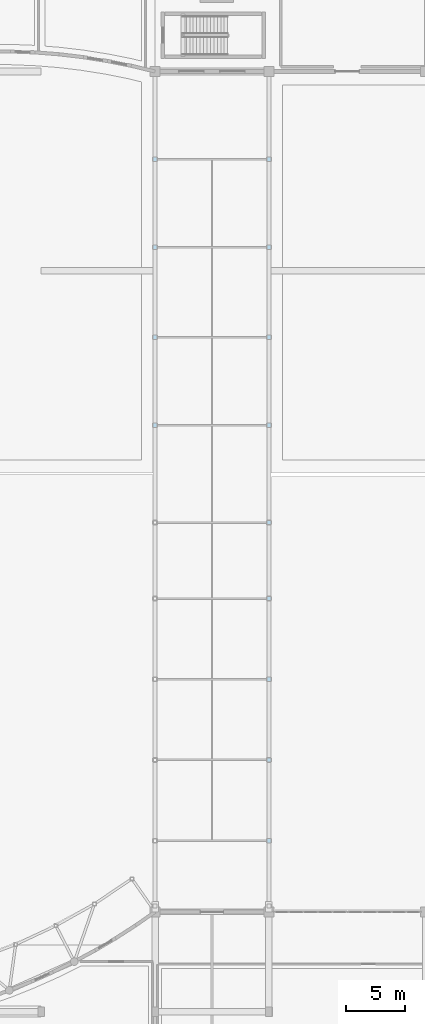
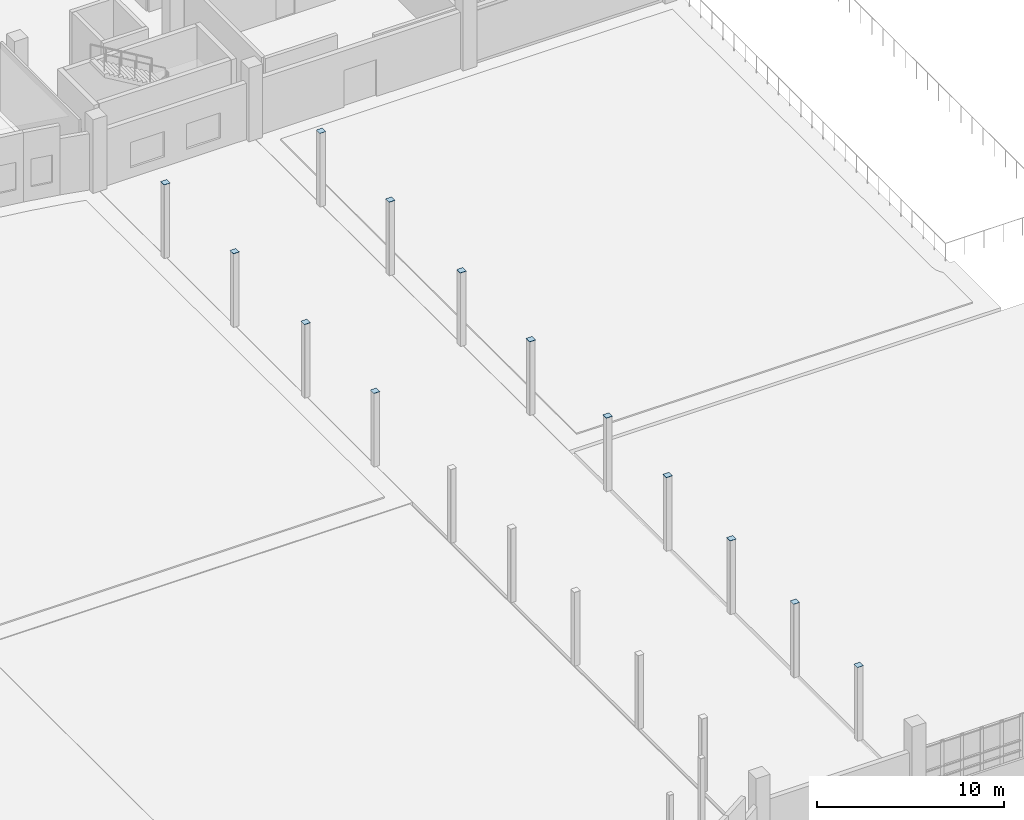
# One storey, part 59 of 97: 13 plates.
"""IFC4 building model written with IfcOpenShell, lengths in metres."""

from ifc_helpers import new_model, si_unit, direction, frame, origin, origin_2d, place, context, subcontext, project, spatial, rectangle, extrude, material, layer, layer_set, type_object, element, save


model = new_model("IFC4")

# Units and contexts
model_context = context("Model", 3, precision=1e-05, world=origin(), true_north=direction((0.0, 1.0)))
body_context = subcontext(model_context, "Body", "Model", "MODEL_VIEW")
ifc_project = project(units=[si_unit("LENGTHUNIT", "METRE"), si_unit("AREAUNIT", "SQUARE_METRE"), si_unit("VOLUMEUNIT", "CUBIC_METRE"), si_unit("PLANEANGLEUNIT", "RADIAN"), si_unit("MASSUNIT", "GRAM", prefix="KILO")], contexts=[model_context])

# Site, building, storey
site_placement = place(None, origin())
site = spatial("IfcSite", under=ifc_project, at=site_placement, CompositionType="ELEMENT")
building_placement = place(site_placement, origin())
building = spatial("IfcBuilding", under=site, at=building_placement, Name="Kisaragi Civic Commons", CompositionType="ELEMENT")
storey_placement = place(building_placement, origin())
storey = spatial("IfcBuildingStorey", under=building, at=storey_placement, Name="L00", CompositionType="ELEMENT", Elevation=0.0)

# Plates
ifc_material = material(Name="Steel SN490 (SN490B)", Category="steel")
ifc_layer = layer(ifc_material, 0.02001953125, Name="Steel SN490 (SN490B)", Category="steel")
ifc_layer_set = layer_set([ifc_layer], Name="Steel SN490 (SN490B)")
plate_type = type_object("IfcPlateType", Name="CP-01", PredefinedType="SHEET", material=ifc_layer_set)
for number, where, z_axis, x_axis, name in (
    (1, (123.60009765625, 66.199951171875, 4.800048828125), (0.0, 0.0, 1.0), (1.0, 0.0, 0.0), "L00 column cap plate CP-01 (123.6,66.2)"),
    (2, (123.60009765625, 73.60009765625, 4.800048828125), (0.0, 0.0, 1.0), (1.0, 0.0, 0.0), "L00 column cap plate CP-01 (123.6,73.6)"),
    (3, (123.60009765625, 81.199951171875, 4.800048828125), (0.0, 0.0, 1.0), (1.0, 0.0, 0.0), "L00 column cap plate CP-01 (123.6,81.2)"),
    (4, (123.60009765625, 88.60009765625, 4.800048828125), (0.0, 0.0, 1.0), (1.0, 0.0, 0.0), "L00 column cap plate CP-01 (123.6,88.6)"),
    (5, (133.199951171875, 31.199951171875, 4.800048828125), (0.0, 0.0, 1.0), (1.0, 0.0, 0.0), "L00 column cap plate CP-01 (133.2,31.2)"),
    (6, (133.199951171875, 38.0, 4.800048828125), (0.0, 0.0, 1.0), (1.0, 0.0, 0.0), "L00 column cap plate CP-01 (133.2,38.0)"),
    (7, (133.199951171875, 44.800048828125, 4.800048828125), (0.0, 0.0, 1.0), (1.0, 0.0, 0.0), "L00 column cap plate CP-01 (133.2,44.8)"),
    (8, (133.199951171875, 51.60009765625, 4.800048828125), (0.0, 0.0, 1.0), (1.0, 0.0, 0.0), "L00 column cap plate CP-01 (133.2,51.6)"),
    (9, (133.199951171875, 58.0, 4.800048828125), (0.0, 0.0, 1.0), (1.0, 0.0, 0.0), "L00 column cap plate CP-01 (133.2,58.0)"),
    (10, (133.199951171875, 66.199951171875, 4.800048828125), (0.0, 0.0, 1.0), (1.0, 0.0, 0.0), "L00 column cap plate CP-01 (133.2,66.2)"),
    (11, (133.199951171875, 73.60009765625, 4.800048828125), (0.0, 0.0, 1.0), (1.0, 0.0, 0.0), "L00 column cap plate CP-01 (133.2,73.6)"),
    (12, (133.199951171875, 81.199951171875, 4.800048828125), (0.0, 0.0, 1.0), (1.0, 0.0, 0.0), "L00 column cap plate CP-01 (133.2,81.2)"),
    (13, (133.199951171875, 88.60009765625, 4.800048828125), (0.0, 0.0, 1.0), (1.0, 0.0, 0.0), "L00 column cap plate CP-01 (133.2,88.6)"),
):
    element("IfcPlate", number, at=place(storey_placement, frame(where, z_axis=z_axis, x_axis=x_axis)), inside=storey, type_object=plate_type, Name=name, PredefinedType="SHEET", context=body_context, shape_type="SweptSolid", body=[
        extrude(rectangle(XDim=0.3701171875, YDim=0.3701171875, at=origin_2d()), origin(), (0.0, 0.0, 1.0), 0.02001953125),
    ])

save(model, "model.ifc")
